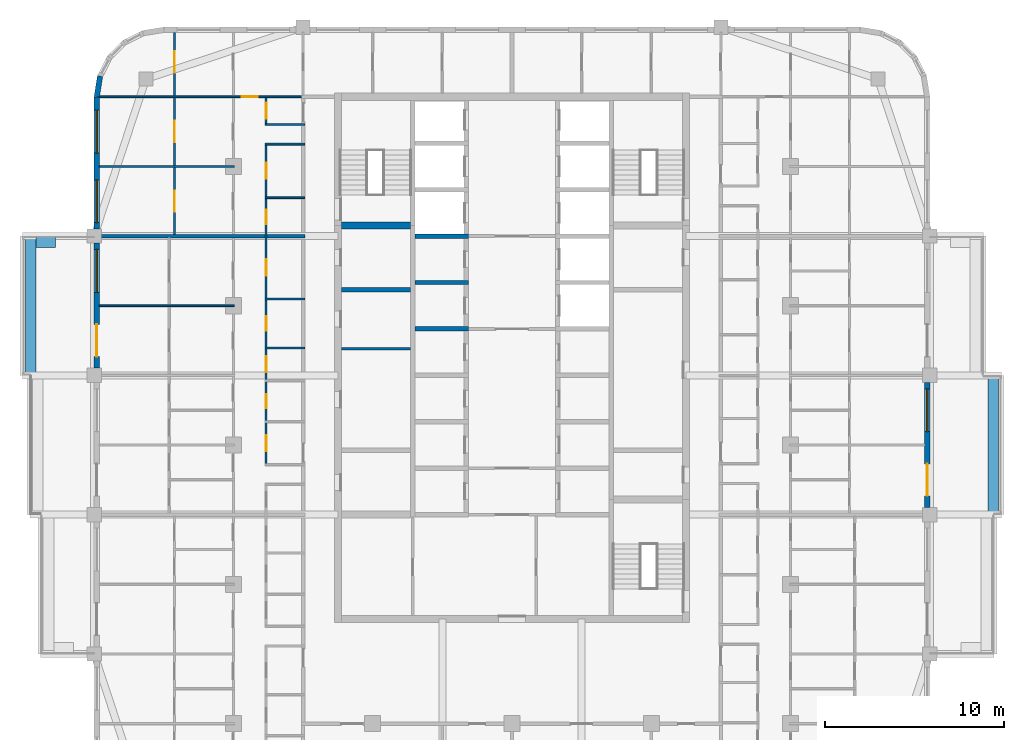
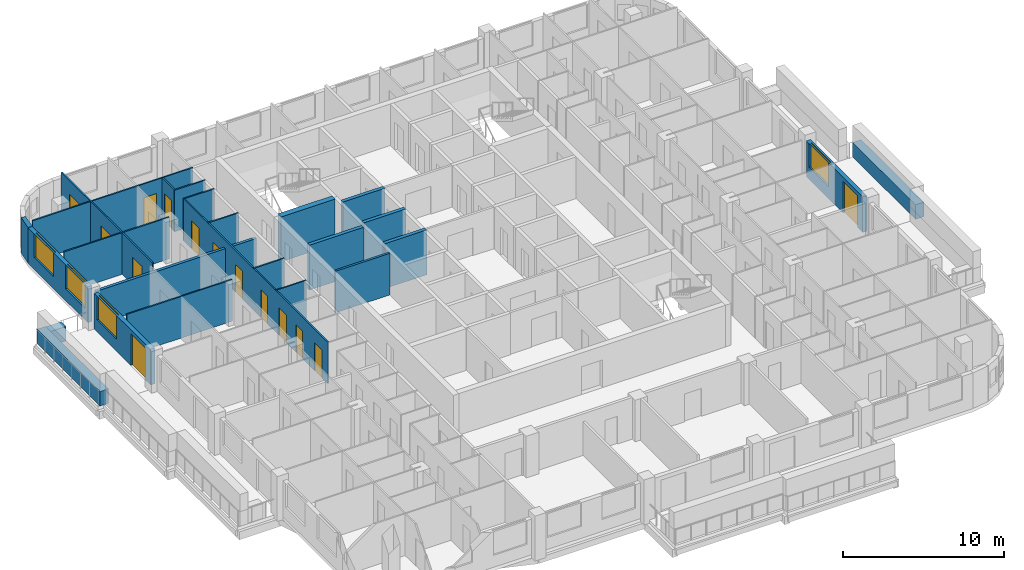
# One storey, part 8 of 16: 25 walls, 14 doors, 4 windows, 18 openings.
"""IFC4 building model written with IfcOpenShell, lengths in metres."""

from ifc_helpers import new_model, si_unit, direction, frame, frame_2d, origin, place, context, subcontext, project, spatial, rectangle, extrude, material, layer, layer_set, type_object, element, fill, save


model = new_model("IFC4")

# Units and contexts
model_context = context("Model", 3, precision=1e-05, world=origin(), true_north=direction((0.0, 1.0)))
body_context = subcontext(model_context, "Body", "Model", "MODEL_VIEW")
ifc_project = project(units=[si_unit("LENGTHUNIT", "METRE"), si_unit("AREAUNIT", "SQUARE_METRE"), si_unit("VOLUMEUNIT", "CUBIC_METRE"), si_unit("PLANEANGLEUNIT", "RADIAN"), si_unit("MASSUNIT", "GRAM", prefix="KILO")], contexts=[model_context])

# Site, building, storey
site_placement = place(None, origin())
site = spatial("IfcSite", under=ifc_project, at=site_placement, CompositionType="ELEMENT")
building_placement = place(site_placement, origin())
building = spatial("IfcBuilding", under=site, at=building_placement, Name="Ludao Terraces", CompositionType="ELEMENT")
storey_placement = place(building_placement, frame((0.0, 0.0, 234.699951171875)))
storey = spatial("IfcBuildingStorey", under=building, at=storey_placement, Name="L64", CompositionType="ELEMENT", Elevation=234.699951171875)

# Walls
ifc_material_1 = material(Name="Concrete C40", Category="concrete")
ifc_layer_1 = layer(ifc_material_1, 0.60009765625)
ifc_layer_set_1 = layer_set([ifc_layer_1], Name="ENV Planter trough 600")
wall_type_1 = type_object("IfcWallType", Name="ENV Planter trough 600", PredefinedType="USERDEFINED", material=ifc_layer_set_1)
wall_1_placement = place(storey_placement, frame((111.949951171875, 61.10009765625, 0.0), z_axis=(0.0, 0.0, 1.0), x_axis=(0.0, 1.0, 0.0)))
element("IfcWall", 1, at=wall_1_placement, inside=storey, type_object=wall_type_1, Name="PL-L64-E2", ObjectType="PLANTER", PredefinedType="USERDEFINED", context=body_context, shape_type="SweptSolid", body=[
    extrude(rectangle(XDim=7.7998046875, YDim=0.60009765625, at=frame_2d((3.89990234375, 0.0))), origin(), (0.0, 0.0, 1.0), 1.10009765625),
])
wall_2_placement = place(storey_placement, frame((58.050048828125, 68.89990234375, 0.0), z_axis=(0.0, 0.0, 1.0), x_axis=(0.0, 1.0, 0.0)))
element("IfcWall", 2, at=wall_2_placement, inside=storey, type_object=wall_type_1, Name="PL-L64-W3", ObjectType="PLANTER", PredefinedType="USERDEFINED", context=body_context, shape_type="SweptSolid", body=[
    extrude(rectangle(XDim=7.800048828125, YDim=0.60009765625, at=frame_2d((3.89990234375, 0.0))), origin(), (0.0, 0.0, 1.0), 1.10009765625),
])
wall_3_placement = place(storey_placement, frame((58.35009765625, 76.35009765625, 0.0), z_axis=(0.0, 0.0, 1.0), x_axis=(1.0, 0.0, 0.0)))
element("IfcWall", 3, at=wall_3_placement, inside=storey, type_object=wall_type_1, Name="PL-L64-W3-SB", ObjectType="PLANTER", PredefinedType="USERDEFINED", context=body_context, shape_type="SweptSolid", body=[
    extrude(rectangle(XDim=1.099853515625, YDim=0.60009765625, at=frame_2d((0.5498046875, 0.0))), origin(), (0.0, 0.0, 1.0), 1.10009765625),
])

# Wall, openings, door, window
ifc_material_2 = material(Name="Granite cladding", Category="masonry")
ifc_layer_2 = layer(ifc_material_2, 0.0400390625, Category="stone")
ifc_material_3 = material(Name="Mineral wool")
ifc_layer_3 = layer(ifc_material_3, 0.06005859375)
ifc_layer_4 = layer(ifc_material_1, 0.199951171875, Category="concrete")
ifc_layer_set_2 = layer_set([ifc_layer_2, ifc_layer_3, ifc_layer_4], Name="ENV Stone-clad wall 300")
wall_type_2 = type_object("IfcWallType", Name="ENV Stone-clad wall 300", PredefinedType="SOLIDWALL", material=ifc_layer_set_2)
wall_4_placement = place(storey_placement, frame((108.25, 61.5, 0.0), z_axis=(0.0, 0.0, 1.0), x_axis=(0.0, 1.0, 0.0)))
wall_4 = element("IfcWall", 4, at=wall_4_placement, inside=storey, type_object=wall_type_2, Name="EW-L64-E3", PredefinedType="SOLIDWALL", context=body_context, shape_type="SweptSolid", body=[
    extrude(rectangle(XDim=7.0, YDim=0.300048828125, at=frame_2d((3.5, 0.0))), origin(), (0.0, 0.0, 1.0), 2.699951171875),
])
opening_1_placement = place(wall_4_placement, frame((0.64990234375, 0.0, 0.0)))
opening_1 = element("IfcOpeningElement", 5, at=opening_1_placement, cuts=wall_4, Name="Opening BD", PredefinedType="OPENING", context=body_context, shape_type="SweptSolid", body=[
    extrude(rectangle(XDim=1.800048828125, YDim=2.39990234375, at=frame_2d((0.89990234375, 1.199951171875))), frame((0.0, 0.16015625, 0.0), z_axis=(0.0, -1.0, 0.0), x_axis=(1.0, 0.0, 0.0)), (0.0, 0.0, 1.0), 0.320068359375),
])
opening_2_placement = place(wall_4_placement, frame((4.25, 0.0, 0.89990234375)))
opening_2 = element("IfcOpeningElement", 6, at=opening_2_placement, cuts=wall_4, Name="Opening W1", PredefinedType="OPENING", context=body_context, shape_type="SweptSolid", body=[
    extrude(rectangle(XDim=2.39990234375, YDim=1.800048828125, at=frame_2d((1.199951171875, 0.89990234375))), frame((0.0, 0.16015625, 0.0), z_axis=(0.0, -1.0, 0.0), x_axis=(1.0, 0.0, 0.0)), (0.0, 0.0, 1.0), 0.320068359375),
])
ifc_material_4 = material(Name="Aluminium glazed door", Category="aluminium")
ifc_layer_5 = layer(ifc_material_4, 0.06005859375)
ifc_layer_set_3 = layer_set([ifc_layer_5], Name="ENV Balcony door BD 1800x2400")
door_type_1 = type_object("IfcDoorType", Name="ENV Balcony door BD 1800x2400", OperationType="DOUBLE_DOOR_SINGLE_SWING", PredefinedType="DOOR", material=ifc_layer_set_3)
door_1_placement = place(opening_1_placement, origin())
door_1 = element("IfcDoor", 7, at=door_1_placement, inside=storey, type_object=door_type_1, Name="BD-L64-E3-1", OperationType="DOUBLE_DOOR_SINGLE_SWING", OverallHeight=2.39990234375, OverallWidth=1.800048828125, PredefinedType="DOOR", context=body_context, shape_type="SweptSolid", body=[
    extrude(rectangle(XDim=1.800048828125, YDim=2.39990234375, at=frame_2d((0.89990234375, 1.199951171875))), frame((0.0, 0.02490234375, 0.0), z_axis=(0.0, -1.0, 0.0), x_axis=(1.0, 0.0, 0.0)), (0.0, 0.0, 1.0), 0.050048828125),
])
fill(opening_1, door_1)
ifc_material_5 = material(Name="Clear glass in aluminium frame", Category="aluminium")
ifc_layer_6 = layer(ifc_material_5, 0.06005859375)
ifc_layer_set_4 = layer_set([ifc_layer_6], Name="ENV Window W1 2400x1800")
window_type = type_object("IfcWindowType", Name="ENV Window W1 2400x1800", PartitioningType="DOUBLE_PANEL_VERTICAL", PredefinedType="WINDOW", material=ifc_layer_set_4)
window_1_placement = place(opening_2_placement, origin())
window_1 = element("IfcWindow", 8, at=window_1_placement, inside=storey, type_object=window_type, Name="W-L64-E3-2", OverallHeight=1.800048828125, OverallWidth=2.39990234375, PartitioningType="DOUBLE_PANEL_VERTICAL", PredefinedType="WINDOW", context=body_context, shape_type="SweptSolid", body=[
    extrude(rectangle(XDim=2.39990234375, YDim=1.800048828125, at=frame_2d((1.199951171875, 0.89990234375))), frame((0.0, 0.030029296875, 0.0), z_axis=(0.0, -1.0, 0.0), x_axis=(1.0, 0.0, 0.0)), (0.0, 0.0, 1.0), 0.06005859375),
])
fill(opening_2, window_1)

wall_5_placement = place(storey_placement, frame((61.75, 69.300048828125, 0.0), z_axis=(0.0, 0.0, 1.0), x_axis=(0.0, 1.0, 0.0)))
wall_5 = element("IfcWall", 9, at=wall_5_placement, inside=storey, type_object=wall_type_2, Name="EW-L64-W4", PredefinedType="SOLIDWALL", context=body_context, shape_type="SweptSolid", body=[
    extrude(rectangle(XDim=7.0, YDim=0.300048828125, at=frame_2d((3.5, 0.0))), origin(), (0.0, 0.0, 1.0), 2.699951171875),
])
opening_3_placement = place(wall_5_placement, frame((0.64990234375, 0.0, 0.0)))
opening_3 = element("IfcOpeningElement", 10, at=opening_3_placement, cuts=wall_5, Name="Opening BD", PredefinedType="OPENING", context=body_context, shape_type="SweptSolid", body=[
    extrude(rectangle(XDim=1.800048828125, YDim=2.39990234375, at=frame_2d((0.89990234375, 1.199951171875))), frame((0.0, 0.16015625, 0.0), z_axis=(0.0, -1.0, 0.0), x_axis=(1.0, 0.0, 0.0)), (0.0, 0.0, 1.0), 0.320068359375),
])
opening_4_placement = place(wall_5_placement, frame((4.25, 0.0, 0.89990234375)))
opening_4 = element("IfcOpeningElement", 11, at=opening_4_placement, cuts=wall_5, Name="Opening W1", PredefinedType="OPENING", context=body_context, shape_type="SweptSolid", body=[
    extrude(rectangle(XDim=2.39990234375, YDim=1.800048828125, at=frame_2d((1.199951171875, 0.89990234375))), frame((0.0, 0.16015625, 0.0), z_axis=(0.0, -1.0, 0.0), x_axis=(1.0, 0.0, 0.0)), (0.0, 0.0, 1.0), 0.320068359375),
])
door_2_placement = place(opening_3_placement, origin())
door_2 = element("IfcDoor", 12, at=door_2_placement, inside=storey, type_object=door_type_1, Name="BD-L64-W4-1", OperationType="DOUBLE_DOOR_SINGLE_SWING", OverallHeight=2.39990234375, OverallWidth=1.800048828125, PredefinedType="DOOR", context=body_context, shape_type="SweptSolid", body=[
    extrude(rectangle(XDim=1.800048828125, YDim=2.39990234375, at=frame_2d((0.89990234375, 1.199951171875))), frame((0.0, 0.02490234375, 0.0), z_axis=(0.0, -1.0, 0.0), x_axis=(1.0, 0.0, 0.0)), (0.0, 0.0, 1.0), 0.050048828125),
])
fill(opening_3, door_2)
window_2_placement = place(opening_4_placement, origin())
window_2 = element("IfcWindow", 13, at=window_2_placement, inside=storey, type_object=window_type, Name="W-L64-W4-2", OverallHeight=1.800048828125, OverallWidth=2.39990234375, PartitioningType="DOUBLE_PANEL_VERTICAL", PredefinedType="WINDOW", context=body_context, shape_type="SweptSolid", body=[
    extrude(rectangle(XDim=2.39990234375, YDim=1.800048828125, at=frame_2d((1.199951171875, 0.89990234375))), frame((0.0, 0.030029296875, 0.0), z_axis=(0.0, -1.0, 0.0), x_axis=(1.0, 0.0, 0.0)), (0.0, 0.0, 1.0), 0.06005859375),
])
fill(opening_4, window_2)

# Wall, openings, windows
wall_6_placement = place(storey_placement, frame((61.75, 77.10009765625, 0.0), z_axis=(0.0, 0.0, 1.0), x_axis=(0.0, 1.0, 0.0)))
wall_6 = element("IfcWall", 14, at=wall_6_placement, inside=storey, type_object=wall_type_2, Name="EW-L64-W5", PredefinedType="SOLIDWALL", context=body_context, shape_type="SweptSolid", body=[
    extrude(rectangle(XDim=7.39990234375, YDim=0.300048828125, at=frame_2d((3.699951171875, 0.0))), origin(), (0.0, 0.0, 1.0), 2.699951171875),
])
opening_5_placement = place(wall_6_placement, frame((0.35009765625, 0.0, 0.89990234375)))
opening_5 = element("IfcOpeningElement", 15, at=opening_5_placement, cuts=wall_6, Name="Opening W1", PredefinedType="OPENING", context=body_context, shape_type="SweptSolid", body=[
    extrude(rectangle(XDim=2.39990234375, YDim=1.800048828125, at=frame_2d((1.199951171875, 0.89990234375))), frame((0.0, 0.16015625, 0.0), z_axis=(0.0, -1.0, 0.0), x_axis=(1.0, 0.0, 0.0)), (0.0, 0.0, 1.0), 0.320068359375),
])
opening_6_placement = place(wall_6_placement, frame((4.25, 0.0, 0.89990234375)))
opening_6 = element("IfcOpeningElement", 16, at=opening_6_placement, cuts=wall_6, Name="Opening W1", PredefinedType="OPENING", context=body_context, shape_type="SweptSolid", body=[
    extrude(rectangle(XDim=2.39990234375, YDim=1.800048828125, at=frame_2d((1.199951171875, 0.89990234375))), frame((0.0, 0.16015625, 0.0), z_axis=(0.0, -1.0, 0.0), x_axis=(1.0, 0.0, 0.0)), (0.0, 0.0, 1.0), 0.320068359375),
])
window_3_placement = place(opening_5_placement, origin())
window_3 = element("IfcWindow", 17, at=window_3_placement, inside=storey, type_object=window_type, Name="W-L64-W5-1", OverallHeight=1.800048828125, OverallWidth=2.39990234375, PartitioningType="DOUBLE_PANEL_VERTICAL", PredefinedType="WINDOW", context=body_context, shape_type="SweptSolid", body=[
    extrude(rectangle(XDim=2.39990234375, YDim=1.800048828125, at=frame_2d((1.199951171875, 0.89990234375))), frame((0.0, 0.030029296875, 0.0), z_axis=(0.0, -1.0, 0.0), x_axis=(1.0, 0.0, 0.0)), (0.0, 0.0, 1.0), 0.06005859375),
])
fill(opening_5, window_3)
window_4_placement = place(opening_6_placement, origin())
window_4 = element("IfcWindow", 18, at=window_4_placement, inside=storey, type_object=window_type, Name="W-L64-W5-2", OverallHeight=1.800048828125, OverallWidth=2.39990234375, PartitioningType="DOUBLE_PANEL_VERTICAL", PredefinedType="WINDOW", context=body_context, shape_type="SweptSolid", body=[
    extrude(rectangle(XDim=2.39990234375, YDim=1.800048828125, at=frame_2d((1.199951171875, 0.89990234375))), frame((0.0, 0.030029296875, 0.0), z_axis=(0.0, -1.0, 0.0), x_axis=(1.0, 0.0, 0.0)), (0.0, 0.0, 1.0), 0.06005859375),
])
fill(opening_6, window_4)

# Walls
wall_7_placement = place(storey_placement, frame((61.93359375, 85.65869140625, 0.0), z_axis=(0.0, 0.0, 1.0), x_axis=(-0.156496880861, -0.987678452879, 0.0)))
element("IfcWall", 19, at=wall_7_placement, inside=storey, type_object=wall_type_2, Name="EW-L64-NW5", PredefinedType="SOLIDWALL", context=body_context, shape_type="SweptSolid", body=[
    extrude(rectangle(XDim=1.173095703125, YDim=0.300048828125, at=frame_2d((0.58642578125, 0.0))), origin(), (0.0, 0.0, 1.0), 2.699951171875),
])
ifc_material_6 = material(Name="Fire-rated gypsum plasterboard", Category="gypsum")
ifc_layer_7 = layer(ifc_material_6, 0.012451171875, Category="gypsum")
ifc_layer_8 = layer(ifc_material_3, 0.10009765625, Name="insulation")
ifc_material_7 = material(Name="Steel Q235", Category="steel")
ifc_layer_9 = layer(ifc_material_7, 0.02490234375, Name="stud")
ifc_layer_10 = layer(ifc_material_6, 0.012451171875, Category="gypsum")
ifc_layer_set_5 = layer_set([ifc_layer_7, ifc_layer_8, ifc_layer_9, ifc_layer_10], Name="INT Core partition 150")
wall_type_3 = type_object("IfcWallType", Name="INT Core partition 150", PredefinedType="PARTITIONING", material=ifc_layer_set_5)
wall_8_placement = place(storey_placement, frame((75.4501953125, 70.39990234375, 0.0), z_axis=(0.0, 0.0, 1.0), x_axis=(1.0, 0.0, 0.0)))
element("IfcWall", 20, at=wall_8_placement, inside=storey, type_object=wall_type_3, Name="PW-L64-PW047", PredefinedType="PARTITIONING", context=body_context, shape_type="SweptSolid", body=[
    extrude(rectangle(XDim=3.875, YDim=0.14990234375, at=frame_2d((1.9375, 0.0))), origin(), (0.0, 0.0, 1.0), 3.150146484375),
])
ifc_material_8 = material(Name="Gypsum plasterboard", Category="gypsum")
ifc_layer_11 = layer(ifc_material_8, 0.012451171875, Category="gypsum")
ifc_layer_12 = layer(ifc_material_3, 0.06005859375, Name="insulation")
ifc_layer_13 = layer(ifc_material_7, 0.014892578125, Name="stud")
ifc_layer_14 = layer(ifc_material_8, 0.012451171875, Category="gypsum")
ifc_layer_set_6 = layer_set([ifc_layer_11, ifc_layer_12, ifc_layer_13, ifc_layer_14], Name="INT Partition 100")
wall_type_4 = type_object("IfcWallType", Name="INT Partition 100", PredefinedType="PARTITIONING", material=ifc_layer_set_6)
wall_9_placement = place(storey_placement, frame((71.18017578125, 70.429931640625, 0.0), z_axis=(0.0, 0.0, 1.0), x_axis=(1.0, 0.0, 0.0)))
element("IfcWall", 21, at=wall_9_placement, inside=storey, type_object=wall_type_4, Name="PW-L64-PW048", PredefinedType="PARTITIONING", context=body_context, shape_type="SweptSolid", body=[
    extrude(rectangle(XDim=2.219970703125, YDim=0.10009765625, at=frame_2d((1.10986328125, 0.0))), origin(), (0.0, 0.0, 1.0), 3.150146484375),
])
wall_10_placement = place(storey_placement, frame((61.900146484375, 72.800048828125, 0.0), z_axis=(0.0, 0.0, 1.0), x_axis=(1.0, 0.0, 0.0)))
element("IfcWall", 22, at=wall_10_placement, inside=storey, type_object=wall_type_4, Name="PW-L64-PW051", PredefinedType="PARTITIONING", context=body_context, shape_type="SweptSolid", body=[
    extrude(rectangle(XDim=7.550048828125, YDim=0.10009765625, at=frame_2d((3.77490234375, 0.0))), origin(), (0.0, 0.0, 1.0), 3.150146484375),
])
for number, where, z_axis, x_axis, name in (
    (23, (71.18017578125, 73.179931640625, 0.0), (0.0, 0.0, 1.0), (1.0, 0.0, 0.0), "PW-L64-PW053"),
    (24, (71.18017578125, 78.85009765625, 0.0), (0.0, 0.0, 1.0), (1.0, 0.0, 0.0), "PW-L64-PW060"),
):
    element("IfcWall", number, at=place(storey_placement, frame(where, z_axis=z_axis, x_axis=x_axis)), inside=storey, type_object=wall_type_4, Name=name, PredefinedType="PARTITIONING", context=body_context, shape_type="SweptSolid", body=[
        extrude(rectangle(XDim=2.219970703125, YDim=0.10009765625, at=frame_2d((1.10986328125, 0.0))), origin(), (0.0, 0.0, 1.0), 3.150146484375),
    ])
wall_11_placement = place(storey_placement, frame((61.900146484375, 80.60009765625, 0.0), z_axis=(0.0, 0.0, 1.0), x_axis=(1.0, 0.0, 0.0)))
element("IfcWall", 25, at=wall_11_placement, inside=storey, type_object=wall_type_4, Name="PW-L64-PW062", PredefinedType="PARTITIONING", context=body_context, shape_type="SweptSolid", body=[
    extrude(rectangle(XDim=7.550048828125, YDim=0.10009765625, at=frame_2d((3.77490234375, 0.0))), origin(), (0.0, 0.0, 1.0), 3.150146484375),
])
for number, where, z_axis, x_axis, name in (
    (26, (71.18017578125, 81.85009765625, 0.0), (0.0, 0.0, 1.0), (1.0, 0.0, 0.0), "PW-L64-PW064"),
    (27, (71.18017578125, 82.949951171875, 0.0), (0.0, 0.0, 1.0), (1.0, 0.0, 0.0), "PW-L64-PW066"),
):
    element("IfcWall", number, at=place(storey_placement, frame(where, z_axis=z_axis, x_axis=x_axis)), inside=storey, type_object=wall_type_4, Name=name, PredefinedType="PARTITIONING", context=body_context, shape_type="SweptSolid", body=[
        extrude(rectangle(XDim=2.219970703125, YDim=0.10009765625, at=frame_2d((1.10986328125, 0.0))), origin(), (0.0, 0.0, 1.0), 3.150146484375),
    ])

# Wall, opening, door
wall_12_placement = place(storey_placement, frame((61.900146484375, 84.5, 0.0), z_axis=(0.0, 0.0, 1.0), x_axis=(1.0, 0.0, 0.0)))
wall_12 = element("IfcWall", 28, at=wall_12_placement, inside=storey, type_object=wall_type_4, Name="PW-L64-PW067", PredefinedType="PARTITIONING", context=body_context, shape_type="SweptSolid", body=[
    extrude(rectangle(XDim=11.5, YDim=0.10009765625, at=frame_2d((5.75, 0.0))), origin(), (0.0, 0.0, 1.0), 3.150146484375),
])
opening_7_placement = place(wall_12_placement, frame((7.965087890625, 0.0, 0.0)))
opening_7 = element("IfcOpeningElement", 29, at=opening_7_placement, cuts=wall_12, Name="Opening R23-133", PredefinedType="OPENING", context=body_context, shape_type="SweptSolid", body=[
    extrude(rectangle(XDim=0.89990234375, YDim=2.10009765625, at=frame_2d((0.449951171875, 1.050048828125))), frame((0.0, 0.06005859375, 0.0), z_axis=(0.0, -1.0, 0.0), x_axis=(1.0, 0.0, 0.0)), (0.0, 0.0, 1.0), 0.1201171875),
])
ifc_material_9 = material(Name="Timber door leaf", Category="wood")
door_type_2 = type_object("IfcDoorType", Name="INT Room door 900", OperationType="SINGLE_SWING_LEFT", PredefinedType="DOOR", material=ifc_material_9)
door_3_placement = place(opening_7_placement, origin())
door_3 = element("IfcDoor", 30, at=door_3_placement, inside=storey, type_object=door_type_2, Name="DOOR 133", OperationType="SINGLE_SWING_RIGHT", OverallHeight=2.10009765625, OverallWidth=0.89990234375, PredefinedType="DOOR", context=body_context, shape_type="SweptSolid", body=[
    extrude(rectangle(XDim=0.89990234375, YDim=2.10009765625, at=frame_2d((0.449951171875, 1.050048828125))), frame((0.0, 0.02490234375, 0.0), z_axis=(0.0, -1.0, 0.0), x_axis=(1.0, 0.0, 0.0)), (0.0, 0.0, 1.0), 0.050048828125),
])
fill(opening_7, door_3)

# Wall, openings, doors
wall_13_placement = place(storey_placement, frame((66.10009765625, 76.800048828125, 0.0), z_axis=(0.0, 0.0, 1.0), x_axis=(0.0, 1.0, 0.0)))
wall_13 = element("IfcWall", 31, at=wall_13_placement, inside=storey, type_object=wall_type_4, Name="PW-L64-PW073", PredefinedType="PARTITIONING", context=body_context, shape_type="SweptSolid", body=[
    extrude(rectangle(XDim=11.300048828125, YDim=0.10009765625, at=frame_2d((5.64990234375, 0.0))), origin(), (0.0, 0.0, 1.0), 3.150146484375),
])
opening_8_placement = place(wall_13_placement, frame((1.25, 0.0, 0.0)))
opening_8 = element("IfcOpeningElement", 32, at=opening_8_placement, cuts=wall_13, Name="Opening R23-115", PredefinedType="OPENING", context=body_context, shape_type="SweptSolid", body=[
    extrude(rectangle(XDim=1.199951171875, YDim=2.10009765625, at=frame_2d((0.60009765625, 1.050048828125))), frame((0.0, 0.06005859375, 0.0), z_axis=(0.0, -1.0, 0.0), x_axis=(1.0, 0.0, 0.0)), (0.0, 0.0, 1.0), 0.1201171875),
])
opening_9_placement = place(wall_13_placement, frame((5.14990234375, 0.0, 0.0)))
opening_9 = element("IfcOpeningElement", 33, at=opening_9_placement, cuts=wall_13, Name="Opening R23-124", PredefinedType="OPENING", context=body_context, shape_type="SweptSolid", body=[
    extrude(rectangle(XDim=1.199951171875, YDim=2.10009765625, at=frame_2d((0.60009765625, 1.050048828125))), frame((0.0, 0.06005859375, 0.0), z_axis=(0.0, -1.0, 0.0), x_axis=(1.0, 0.0, 0.0)), (0.0, 0.0, 1.0), 0.1201171875),
])
opening_10_placement = place(wall_13_placement, frame((9.050048828125, 0.0, 0.0)))
opening_10 = element("IfcOpeningElement", 34, at=opening_10_placement, cuts=wall_13, Name="Opening R23-135", PredefinedType="OPENING", context=body_context, shape_type="SweptSolid", body=[
    extrude(rectangle(XDim=1.199951171875, YDim=2.10009765625, at=frame_2d((0.60009765625, 1.050048828125))), frame((0.0, 0.06005859375, 0.0), z_axis=(0.0, -1.0, 0.0), x_axis=(1.0, 0.0, 0.0)), (0.0, 0.0, 1.0), 0.1201171875),
])
door_type_3 = type_object("IfcDoorType", Name="INT Double door 1200", OperationType="DOUBLE_DOOR_SINGLE_SWING", PredefinedType="DOOR", material=ifc_material_9)
door_4_placement = place(opening_8_placement, origin())
door_4 = element("IfcDoor", 35, at=door_4_placement, inside=storey, type_object=door_type_3, Name="DOOR 115", OperationType="DOUBLE_DOOR_SINGLE_SWING", OverallHeight=2.10009765625, OverallWidth=1.199951171875, PredefinedType="DOOR", context=body_context, shape_type="SweptSolid", body=[
    extrude(rectangle(XDim=1.199951171875, YDim=2.10009765625, at=frame_2d((0.60009765625, 1.050048828125))), frame((0.0, 0.02490234375, 0.0), z_axis=(0.0, -1.0, 0.0), x_axis=(1.0, 0.0, 0.0)), (0.0, 0.0, 1.0), 0.050048828125),
])
fill(opening_8, door_4)
door_5_placement = place(opening_9_placement, origin())
door_5 = element("IfcDoor", 36, at=door_5_placement, inside=storey, type_object=door_type_3, Name="DOOR 124", OperationType="DOUBLE_DOOR_SINGLE_SWING", OverallHeight=2.10009765625, OverallWidth=1.199951171875, PredefinedType="DOOR", context=body_context, shape_type="SweptSolid", body=[
    extrude(rectangle(XDim=1.199951171875, YDim=2.10009765625, at=frame_2d((0.60009765625, 1.050048828125))), frame((0.0, 0.02490234375, 0.0), z_axis=(0.0, -1.0, 0.0), x_axis=(1.0, 0.0, 0.0)), (0.0, 0.0, 1.0), 0.050048828125),
])
fill(opening_9, door_5)
door_6_placement = place(opening_10_placement, origin())
door_6 = element("IfcDoor", 37, at=door_6_placement, inside=storey, type_object=door_type_3, Name="DOOR 135", OperationType="DOUBLE_DOOR_SINGLE_SWING", OverallHeight=2.10009765625, OverallWidth=1.199951171875, PredefinedType="DOOR", context=body_context, shape_type="SweptSolid", body=[
    extrude(rectangle(XDim=1.199951171875, YDim=2.10009765625, at=frame_2d((0.60009765625, 1.050048828125))), frame((0.0, 0.02490234375, 0.0), z_axis=(0.0, -1.0, 0.0), x_axis=(1.0, 0.0, 0.0)), (0.0, 0.0, 1.0), 0.050048828125),
])
fill(opening_10, door_6)

wall_14_placement = place(storey_placement, frame((71.22998046875, 63.9501953125, 0.0), z_axis=(0.0, 0.0, 1.0), x_axis=(0.0, 1.0, 0.0)))
wall_14 = element("IfcWall", 38, at=wall_14_placement, inside=storey, type_object=wall_type_4, Name="PW-L64-PW077", PredefinedType="PARTITIONING", context=body_context, shape_type="SweptSolid", body=[
    extrude(rectangle(XDim=17.849853515625, YDim=0.10009765625, at=frame_2d((8.9248046875, 0.0))), origin(), (0.0, 0.0, 1.0), 3.150146484375),
])
opening_11_placement = place(wall_14_placement, frame((0.699951171875, 0.0, 0.0)))
opening_11 = element("IfcOpeningElement", 39, at=opening_11_placement, cuts=wall_14, Name="Opening R23-069", PredefinedType="OPENING", context=body_context, shape_type="SweptSolid", body=[
    extrude(rectangle(XDim=0.89990234375, YDim=2.10009765625, at=frame_2d((0.449951171875, 1.050048828125))), frame((0.0, 0.06005859375, 0.0), z_axis=(0.0, -1.0, 0.0), x_axis=(1.0, 0.0, 0.0)), (0.0, 0.0, 1.0), 0.1201171875),
])
opening_12_placement = place(wall_14_placement, frame((3.099853515625, 0.0, 0.0)))
opening_12 = element("IfcOpeningElement", 40, at=opening_12_placement, cuts=wall_14, Name="Opening R23-073", PredefinedType="OPENING", context=body_context, shape_type="SweptSolid", body=[
    extrude(rectangle(XDim=0.800048828125, YDim=2.10009765625, at=frame_2d((0.39990234375, 1.050048828125))), frame((0.0, 0.06005859375, 0.0), z_axis=(0.0, -1.0, 0.0), x_axis=(1.0, 0.0, 0.0)), (0.0, 0.0, 1.0), 0.1201171875),
])
opening_13_placement = place(wall_14_placement, frame((5.114990234375, 0.0, 0.0)))
opening_13 = element("IfcOpeningElement", 41, at=opening_13_placement, cuts=wall_14, Name="Opening R23-083", PredefinedType="OPENING", context=body_context, shape_type="SweptSolid", body=[
    extrude(rectangle(XDim=0.89990234375, YDim=2.10009765625, at=frame_2d((0.449951171875, 1.050048828125))), frame((0.0, 0.06005859375, 0.0), z_axis=(0.0, -1.0, 0.0), x_axis=(1.0, 0.0, 0.0)), (0.0, 0.0, 1.0), 0.1201171875),
])
opening_14_placement = place(wall_14_placement, frame((7.454833984375, 0.0, 0.0)))
opening_14 = element("IfcOpeningElement", 42, at=opening_14_placement, cuts=wall_14, Name="Opening R23-092", PredefinedType="OPENING", context=body_context, shape_type="SweptSolid", body=[
    extrude(rectangle(XDim=0.800048828125, YDim=2.10009765625, at=frame_2d((0.39990234375, 1.050048828125))), frame((0.0, 0.06005859375, 0.0), z_axis=(0.0, -1.0, 0.0), x_axis=(1.0, 0.0, 0.0)), (0.0, 0.0, 1.0), 0.1201171875),
])
opening_15_placement = place(wall_14_placement, frame((10.539794921875, 0.0, 0.0)))
opening_15 = element("IfcOpeningElement", 43, at=opening_15_placement, cuts=wall_14, Name="Opening R23-100", PredefinedType="OPENING", context=body_context, shape_type="SweptSolid", body=[
    extrude(rectangle(XDim=0.89990234375, YDim=2.10009765625, at=frame_2d((0.449951171875, 1.050048828125))), frame((0.0, 0.06005859375, 0.0), z_axis=(0.0, -1.0, 0.0), x_axis=(1.0, 0.0, 0.0)), (0.0, 0.0, 1.0), 0.1201171875),
])
opening_16_placement = place(wall_14_placement, frame((13.4248046875, 0.0, 0.0)))
opening_16 = element("IfcOpeningElement", 44, at=opening_16_placement, cuts=wall_14, Name="Opening R23-110", PredefinedType="OPENING", context=body_context, shape_type="SweptSolid", body=[
    extrude(rectangle(XDim=0.800048828125, YDim=2.10009765625, at=frame_2d((0.39990234375, 1.050048828125))), frame((0.0, 0.06005859375, 0.0), z_axis=(0.0, -1.0, 0.0), x_axis=(1.0, 0.0, 0.0)), (0.0, 0.0, 1.0), 0.1201171875),
])
opening_17_placement = place(wall_14_placement, frame((15.949951171875, 0.0, 0.0)))
opening_17 = element("IfcOpeningElement", 45, at=opening_17_placement, cuts=wall_14, Name="Opening R23-120", PredefinedType="OPENING", context=body_context, shape_type="SweptSolid", body=[
    extrude(rectangle(XDim=0.89990234375, YDim=2.10009765625, at=frame_2d((0.449951171875, 1.050048828125))), frame((0.0, 0.06005859375, 0.0), z_axis=(0.0, -1.0, 0.0), x_axis=(1.0, 0.0, 0.0)), (0.0, 0.0, 1.0), 0.1201171875),
])
door_type_4 = type_object("IfcDoorType", Name="INT Bathroom door 900", OperationType="SINGLE_SWING_LEFT", PredefinedType="DOOR", material=ifc_material_9)
door_7_placement = place(opening_11_placement, origin())
door_7 = element("IfcDoor", 46, at=door_7_placement, inside=storey, type_object=door_type_4, Name="DOOR 069", OperationType="SINGLE_SWING_RIGHT", OverallHeight=2.10009765625, OverallWidth=0.89990234375, PredefinedType="DOOR", context=body_context, shape_type="SweptSolid", body=[
    extrude(rectangle(XDim=0.89990234375, YDim=2.10009765625, at=frame_2d((0.449951171875, 1.050048828125))), frame((0.0, 0.02490234375, 0.0), z_axis=(0.0, -1.0, 0.0), x_axis=(1.0, 0.0, 0.0)), (0.0, 0.0, 1.0), 0.050048828125),
])
fill(opening_11, door_7)
door_8_placement = place(opening_13_placement, origin())
door_8 = element("IfcDoor", 47, at=door_8_placement, inside=storey, type_object=door_type_4, Name="DOOR 083", OperationType="SINGLE_SWING_RIGHT", OverallHeight=2.10009765625, OverallWidth=0.89990234375, PredefinedType="DOOR", context=body_context, shape_type="SweptSolid", body=[
    extrude(rectangle(XDim=0.89990234375, YDim=2.10009765625, at=frame_2d((0.449951171875, 1.050048828125))), frame((0.0, 0.02490234375, 0.0), z_axis=(0.0, -1.0, 0.0), x_axis=(1.0, 0.0, 0.0)), (0.0, 0.0, 1.0), 0.050048828125),
])
fill(opening_13, door_8)
door_9_placement = place(opening_15_placement, origin())
door_9 = element("IfcDoor", 48, at=door_9_placement, inside=storey, type_object=door_type_2, Name="DOOR 100", OperationType="SINGLE_SWING_LEFT", OverallHeight=2.10009765625, OverallWidth=0.89990234375, PredefinedType="DOOR", context=body_context, shape_type="SweptSolid", body=[
    extrude(rectangle(XDim=0.89990234375, YDim=2.10009765625, at=frame_2d((0.449951171875, 1.050048828125))), frame((0.0, 0.02490234375, 0.0), z_axis=(0.0, -1.0, 0.0), x_axis=(1.0, 0.0, 0.0)), (0.0, 0.0, 1.0), 0.050048828125),
])
fill(opening_15, door_9)
door_10_placement = place(opening_17_placement, origin())
door_10 = element("IfcDoor", 49, at=door_10_placement, inside=storey, type_object=door_type_2, Name="DOOR 120", OperationType="SINGLE_SWING_RIGHT", OverallHeight=2.10009765625, OverallWidth=0.89990234375, PredefinedType="DOOR", context=body_context, shape_type="SweptSolid", body=[
    extrude(rectangle(XDim=0.89990234375, YDim=2.10009765625, at=frame_2d((0.449951171875, 1.050048828125))), frame((0.0, 0.02490234375, 0.0), z_axis=(0.0, -1.0, 0.0), x_axis=(1.0, 0.0, 0.0)), (0.0, 0.0, 1.0), 0.050048828125),
])
fill(opening_17, door_10)
door_type_5 = type_object("IfcDoorType", Name="INT Store door 800", OperationType="SINGLE_SWING_LEFT", PredefinedType="DOOR", material=ifc_material_9)
door_11_placement = place(opening_12_placement, origin())
door_11 = element("IfcDoor", 50, at=door_11_placement, inside=storey, type_object=door_type_5, Name="DOOR 073", OperationType="SINGLE_SWING_RIGHT", OverallHeight=2.10009765625, OverallWidth=0.800048828125, PredefinedType="DOOR", context=body_context, shape_type="SweptSolid", body=[
    extrude(rectangle(XDim=0.800048828125, YDim=2.10009765625, at=frame_2d((0.39990234375, 1.050048828125))), frame((0.0, 0.02490234375, 0.0), z_axis=(0.0, -1.0, 0.0), x_axis=(1.0, 0.0, 0.0)), (0.0, 0.0, 1.0), 0.050048828125),
])
fill(opening_12, door_11)
door_12_placement = place(opening_14_placement, origin())
door_12 = element("IfcDoor", 51, at=door_12_placement, inside=storey, type_object=door_type_5, Name="DOOR 092", OperationType="SINGLE_SWING_LEFT", OverallHeight=2.10009765625, OverallWidth=0.800048828125, PredefinedType="DOOR", context=body_context, shape_type="SweptSolid", body=[
    extrude(rectangle(XDim=0.800048828125, YDim=2.10009765625, at=frame_2d((0.39990234375, 1.050048828125))), frame((0.0, 0.02490234375, 0.0), z_axis=(0.0, -1.0, 0.0), x_axis=(1.0, 0.0, 0.0)), (0.0, 0.0, 1.0), 0.050048828125),
])
fill(opening_14, door_12)
door_13_placement = place(opening_16_placement, origin())
door_13 = element("IfcDoor", 52, at=door_13_placement, inside=storey, type_object=door_type_5, Name="DOOR 110", OperationType="SINGLE_SWING_RIGHT", OverallHeight=2.10009765625, OverallWidth=0.800048828125, PredefinedType="DOOR", context=body_context, shape_type="SweptSolid", body=[
    extrude(rectangle(XDim=0.800048828125, YDim=2.10009765625, at=frame_2d((0.39990234375, 1.050048828125))), frame((0.0, 0.02490234375, 0.0), z_axis=(0.0, -1.0, 0.0), x_axis=(1.0, 0.0, 0.0)), (0.0, 0.0, 1.0), 0.050048828125),
])
fill(opening_16, door_13)

# Wall, opening, door
wall_15_placement = place(storey_placement, frame((71.22998046875, 83.0, 0.0), z_axis=(0.0, 0.0, 1.0), x_axis=(0.0, 1.0, 0.0)))
wall_15 = element("IfcWall", 53, at=wall_15_placement, inside=storey, type_object=wall_type_4, Name="PW-L64-PW078", PredefinedType="PARTITIONING", context=body_context, shape_type="SweptSolid", body=[
    extrude(rectangle(XDim=1.4501953125, YDim=0.10009765625, at=frame_2d((0.72509765625, 0.0))), origin(), (0.0, 0.0, 1.0), 3.150146484375),
])
opening_18_placement = place(wall_15_placement, frame((0.275146484375, 0.0, 0.0)))
opening_18 = element("IfcOpeningElement", 54, at=opening_18_placement, cuts=wall_15, Name="Opening R23-132", PredefinedType="OPENING", context=body_context, shape_type="SweptSolid", body=[
    extrude(rectangle(XDim=0.89990234375, YDim=2.10009765625, at=frame_2d((0.449951171875, 1.050048828125))), frame((0.0, 0.06005859375, 0.0), z_axis=(0.0, -1.0, 0.0), x_axis=(1.0, 0.0, 0.0)), (0.0, 0.0, 1.0), 0.1201171875),
])
door_14_placement = place(opening_18_placement, origin())
door_14 = element("IfcDoor", 55, at=door_14_placement, inside=storey, type_object=door_type_4, Name="DOOR 132", OperationType="SINGLE_SWING_RIGHT", OverallHeight=2.10009765625, OverallWidth=0.89990234375, PredefinedType="DOOR", context=body_context, shape_type="SweptSolid", body=[
    extrude(rectangle(XDim=0.89990234375, YDim=2.10009765625, at=frame_2d((0.449951171875, 1.050048828125))), frame((0.0, 0.02490234375, 0.0), z_axis=(0.0, -1.0, 0.0), x_axis=(1.0, 0.0, 0.0)), (0.0, 0.0, 1.0), 0.050048828125),
])
fill(opening_18, door_14)

# Walls
ifc_material_10 = material(Name="Autoclaved aerated concrete block B06 A3.5", Category="concrete")
ifc_layer_15 = layer(ifc_material_10, 0.199951171875)
ifc_layer_set_7 = layer_set([ifc_layer_15], Name="INT Party wall 200")
wall_type_5 = type_object("IfcWallType", Name="INT Party wall 200", PredefinedType="PARTITIONING", material=ifc_layer_set_7)
wall_16_placement = place(storey_placement, frame((61.900146484375, 76.699951171875, 0.0), z_axis=(0.0, 0.0, 1.0), x_axis=(1.0, 0.0, 0.0)))
element("IfcWall", 56, at=wall_16_placement, inside=storey, type_object=wall_type_5, Name="PW-L64-PW056", PredefinedType="PARTITIONING", context=body_context, shape_type="SweptSolid", body=[
    extrude(rectangle(XDim=11.5, YDim=0.199951171875, at=frame_2d((5.75, 0.0))), origin(), (0.0, 0.0, 1.0), 2.550048828125),
])
ifc_material_11 = material(Name="Concrete C50", Category="concrete")
ifc_layer_16 = layer(ifc_material_11, 0.25)
ifc_layer_set_8 = layer_set([ifc_layer_16], Name="Shaft wall 250 C50")
wall_type_6 = type_object("IfcWallType", Name="Shaft wall 250 C50", PredefinedType="SOLIDWALL", material=ifc_layer_set_8)
for number, where, z_axis, x_axis, name in (
    (57, (79.574951171875, 71.5, -0.25), (0.0, 0.0, 1.0), (1.0, 0.0, 0.0), "Core wall L64 div-W5"),
    (58, (79.574951171875, 74.10009765625, -0.25), (0.0, 0.0, 1.0), (1.0, 0.0, 0.0), "Core wall L64 div-W6"),
    (59, (79.574951171875, 76.699951171875, -0.25), (0.0, 0.0, 1.0), (1.0, 0.0, 0.0), "Core wall L64 div-W7"),
):
    element("IfcWall", number, at=place(storey_placement, frame(where, z_axis=z_axis, x_axis=x_axis)), inside=storey, type_object=wall_type_6, Name=name, PredefinedType="SOLIDWALL", context=body_context, shape_type="SweptSolid", body=[
        extrude(rectangle(XDim=3.0, YDim=0.25, at=frame_2d((1.5, 0.0))), origin(), (0.0, 0.0, 1.0), 3.400146484375),
    ])
wall_17_placement = place(storey_placement, frame((75.449951171875, 73.699951171875, -0.25), z_axis=(0.0, 0.0, 1.0), x_axis=(1.0, 0.0, 0.0)))
element("IfcWall", 60, at=wall_17_placement, inside=storey, type_object=wall_type_6, Name="Core wall L64 riser-b-W", PredefinedType="SOLIDWALL", context=body_context, shape_type="SweptSolid", body=[
    extrude(rectangle(XDim=3.875, YDim=0.25, at=frame_2d((1.9375, 0.0))), origin(), (0.0, 0.0, 1.0), 3.400146484375),
])
ifc_layer_17 = layer(ifc_material_11, 0.39990234375)
ifc_layer_set_9 = layer_set([ifc_layer_17], Name="Shaft wall 400 C50")
wall_type_7 = type_object("IfcWallType", Name="Shaft wall 400 C50", PredefinedType="SOLIDWALL", material=ifc_layer_set_9)
wall_18_placement = place(storey_placement, frame((75.449951171875, 77.300048828125, -0.25), z_axis=(0.0, 0.0, 1.0), x_axis=(1.0, 0.0, 0.0)))
element("IfcWall", 61, at=wall_18_placement, inside=storey, type_object=wall_type_7, Name="Core wall L64 stair-W", PredefinedType="SOLIDWALL", context=body_context, shape_type="SweptSolid", body=[
    extrude(rectangle(XDim=3.875, YDim=0.39990234375, at=frame_2d((1.9375, 0.0))), origin(), (0.0, 0.0, 1.0), 3.400146484375),
])

save(model, "model.ifc")
